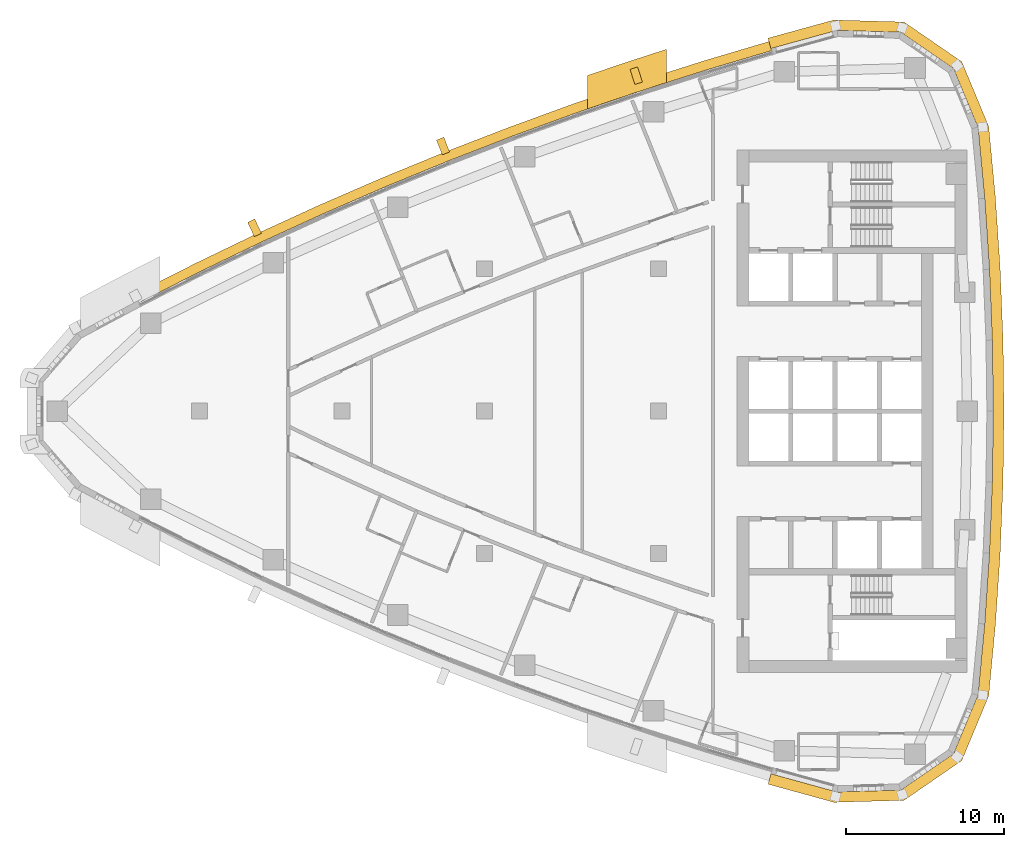
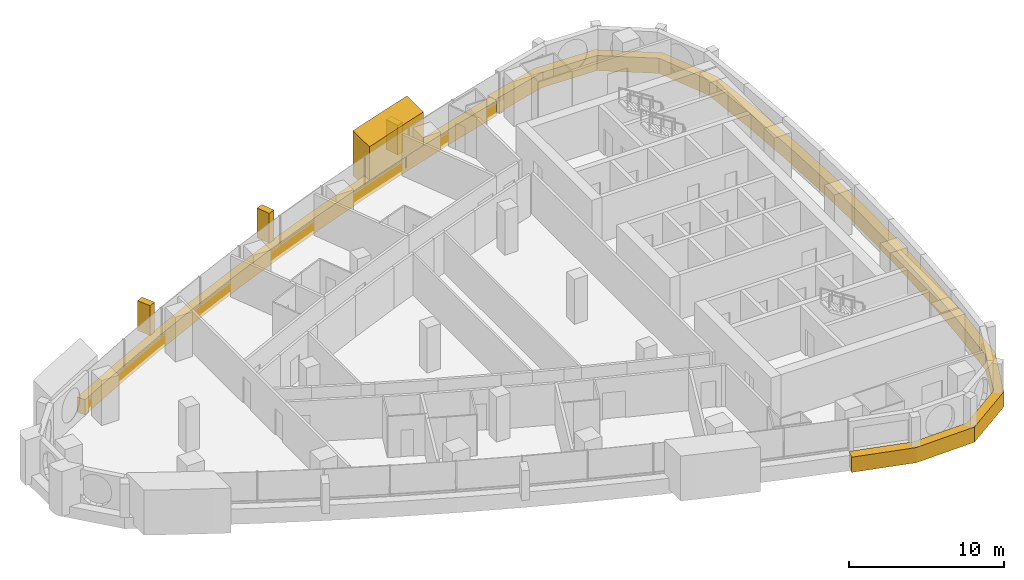
# One storey, part 16 of 17: 6 coverings.
"""IFC4 building model written with IfcOpenShell, lengths in metres."""

from ifc_helpers import new_model, si_unit, direction, frame, frame_2d, origin, place, context, subcontext, project, spatial, polyline, rectangle, outline, extrude, material, layer, layer_set, type_object, element, save


model = new_model("IFC4")

# Units and contexts
model_context = context("Model", 3, precision=1e-05, world=origin(), true_north=direction((0.0, 1.0)))
body_context = subcontext(model_context, "Body", "Model", "MODEL_VIEW")
ifc_project = project(units=[si_unit("LENGTHUNIT", "METRE"), si_unit("AREAUNIT", "SQUARE_METRE"), si_unit("VOLUMEUNIT", "CUBIC_METRE"), si_unit("PLANEANGLEUNIT", "RADIAN"), si_unit("MASSUNIT", "GRAM", prefix="KILO")], contexts=[model_context])

# Site, building, storey
site_placement = place(None, origin())
site = spatial("IfcSite", under=ifc_project, at=site_placement, CompositionType="ELEMENT")
building_placement = place(site_placement, origin())
building = spatial("IfcBuilding", under=site, at=building_placement, Name="Ostrand Prow Hotel Tower", CompositionType="ELEMENT")
storey_placement = place(building_placement, frame((0.0, 0.0, 193.25)))
storey = spatial("IfcBuildingStorey", under=building, at=storey_placement, Name="L48", CompositionType="ELEMENT", Elevation=193.25)

# Coverings
ifc_material_1 = material(Name="Bronze anodised aluminium cladding", Category="aluminium")
ifc_layer_1 = layer(ifc_material_1, 0.60009765625)
ifc_layer_set_1 = layer_set([ifc_layer_1], Name="Bronze anodised aluminium cladding")
covering_type_1 = type_object("IfcCoveringType", Name="Bronze spandrel band 1200x600", PredefinedType="CLADDING", material=ifc_layer_set_1)
covering_1_placement = place(storey_placement, frame((0.0, 0.0, -0.300048828125)))
element("IfcCovering", 1, at=covering_1_placement, inside=storey, type_object=covering_type_1, Name="Spandrel band N1", PredefinedType="CLADDING", context=body_context, shape_type="SweptSolid", body=[
    extrude(outline(polyline([(51.9736328125, 23.35009765625), (47.831787109375, 22.12060546875), (43.7158203125, 20.80810546875), (39.626708984375, 19.4130859375), (35.566650390625, 17.93603515625), (31.537353515625, 16.37744140625), (27.5400390625, 14.738037109375), (23.57666015625, 13.0185546875), (19.648681640625, 11.219482421875), (15.757568359375, 9.341796875), (11.9052734375, 7.38623046875), (12.18212890625, 6.85400390625), (16.023681640625, 8.80419921875), (19.90380859375, 10.676513671875), (23.821044921875, 12.470458984375), (27.773193359375, 14.185302734375), (31.759521484375, 15.820068359375), (35.777587890625, 17.374267578125), (39.826171875, 18.84716796875), (43.90380859375, 20.23828125), (48.00830078125, 21.547119140625), (52.138427734375, 22.773193359375), (51.9736328125, 23.35009765625)])), origin(), (0.0, 0.0, 1.0), 1.199951171875),
])
covering_2_placement = place(storey_placement, frame((0.0, 0.0, -0.300048828125)))
element("IfcCovering", 2, at=covering_2_placement, inside=storey, type_object=covering_type_1, Name="Spandrel band back 1", PredefinedType="CLADDING", context=body_context, shape_type="SweptSolid", body=[
    extrude(outline(polyline([(51.9130859375, -23.561767578125), (56.0830078125, -24.708740234375), (60.5087890625, -24.581787109375), (64.15625, -22.072021484375), (65.856201171875, -17.98388671875), (66.27783203125, -13.499267578125), (66.5791015625, -9.0048828125), (66.760009765625, -4.50390625), (66.8203125, 0.0), (66.760009765625, 4.50390625), (66.5791015625, 9.0048828125), (66.27783203125, 13.499267578125), (65.856201171875, 17.98388671875), (64.15625, 22.072021484375), (60.5087890625, 24.581787109375), (56.0830078125, 24.708740234375), (51.9130859375, 23.561767578125), (52.10009765625, 22.907958984375), (56.256591796875, 24.05126953125), (60.297607421875, 23.935302734375), (63.6279296875, 21.643798828125), (65.18017578125, 17.9111328125), (65.60009765625, 13.444580078125), (65.900146484375, 8.968505859375), (66.080078125, 4.48583984375), (66.140380859375, 0.0), (66.080078125, -4.48583984375), (65.900146484375, -8.968505859375), (65.60009765625, -13.444580078125), (65.18017578125, -17.9111328125), (63.6279296875, -21.643798828125), (60.297607421875, -23.935302734375), (56.256591796875, -24.05126953125), (52.10009765625, -22.907958984375), (51.9130859375, -23.561767578125)])), origin(), (0.0, 0.0, 1.0), 1.199951171875),
])
ifc_material_2 = material(Name="Limestone cladding", Category="masonry")
ifc_layer_2 = layer(ifc_material_2, 5.0)
ifc_layer_set_2 = layer_set([ifc_layer_2], Name="Limestone cladding")
covering_type_2 = type_object("IfcCoveringType", Name="Portal jamb pilaster limestone", PredefinedType="CLADDING", material=ifc_layer_set_2)
covering_3_placement = place(storey_placement, origin())
element("IfcCovering", 3, at=covering_3_placement, inside=storey, type_object=covering_type_2, Name="Portal jamb NB L48", PredefinedType="CLADDING", context=body_context, shape_type="SweptSolid", body=[
    extrude(outline(polyline([(40.5, 19.08349609375), (41.5, 19.429443359375), (42.5, 19.769775390625), (43.5, 20.104736328125), (44.5, 20.43408203125), (45.5, 20.75830078125), (45.5, 22.85791015625), (44.5, 22.537109375), (43.5, 22.211181640625), (42.5, 21.879638671875), (41.5, 21.542724609375), (40.5, 21.200439453125), (40.5, 19.08349609375)])), origin(), (0.0, 0.0, 1.0), 3.550048828125),
])
ifc_material_3 = material(Name="Limestone cladding", Category="masonry")
ifc_layer_3 = layer(ifc_material_3, 0.5)
ifc_layer_set_3 = layer_set([ifc_layer_3], Name="Limestone cladding")
covering_type_3 = type_object("IfcCoveringType", Name="Precast stone fin 500x900", PredefinedType="CLADDING", material=ifc_layer_set_3)
for number, where, z_axis, x_axis, name in (
    (4, (43.7470703125, 20.713134765625, 0.89990234375), (0.0, 0.0, 1.0), (-0.313443495886, 0.949606852801, 0.0), "Stone fin N 3"),
    (5, (31.57421875, 16.284423828125, 0.89990234375), (0.0, 0.0, 1.0), (-0.37012750131, 0.9289809647, 0.0), "Stone fin N 6"),
):
    element("IfcCovering", number, at=place(storey_placement, frame(where, z_axis=z_axis, x_axis=x_axis)), inside=storey, type_object=covering_type_3, Name=name, PredefinedType="CLADDING", context=body_context, shape_type="SweptSolid", body=[
        extrude(rectangle(XDim=1.0, YDim=0.5, at=frame_2d((0.5, 0.0))), origin(), (0.0, 0.0, 1.0), 2.35009765625),
    ])
covering_4_placement = place(storey_placement, frame((19.691162109375, 11.129150390625, 0.89990234375), z_axis=(0.0, 0.0, 1.0), x_axis=(-0.425597120581, 0.904912753227, 0.0)))
element("IfcCovering", 6, at=covering_4_placement, inside=storey, type_object=covering_type_3, Name="Stone fin N 9", PredefinedType="CLADDING", context=body_context, shape_type="SweptSolid", body=[
    extrude(rectangle(XDim=0.999755859375, YDim=0.5, at=frame_2d((0.5, 0.0))), origin(), (0.0, 0.0, 1.0), 2.35009765625),
])

save(model, "model.ifc")
